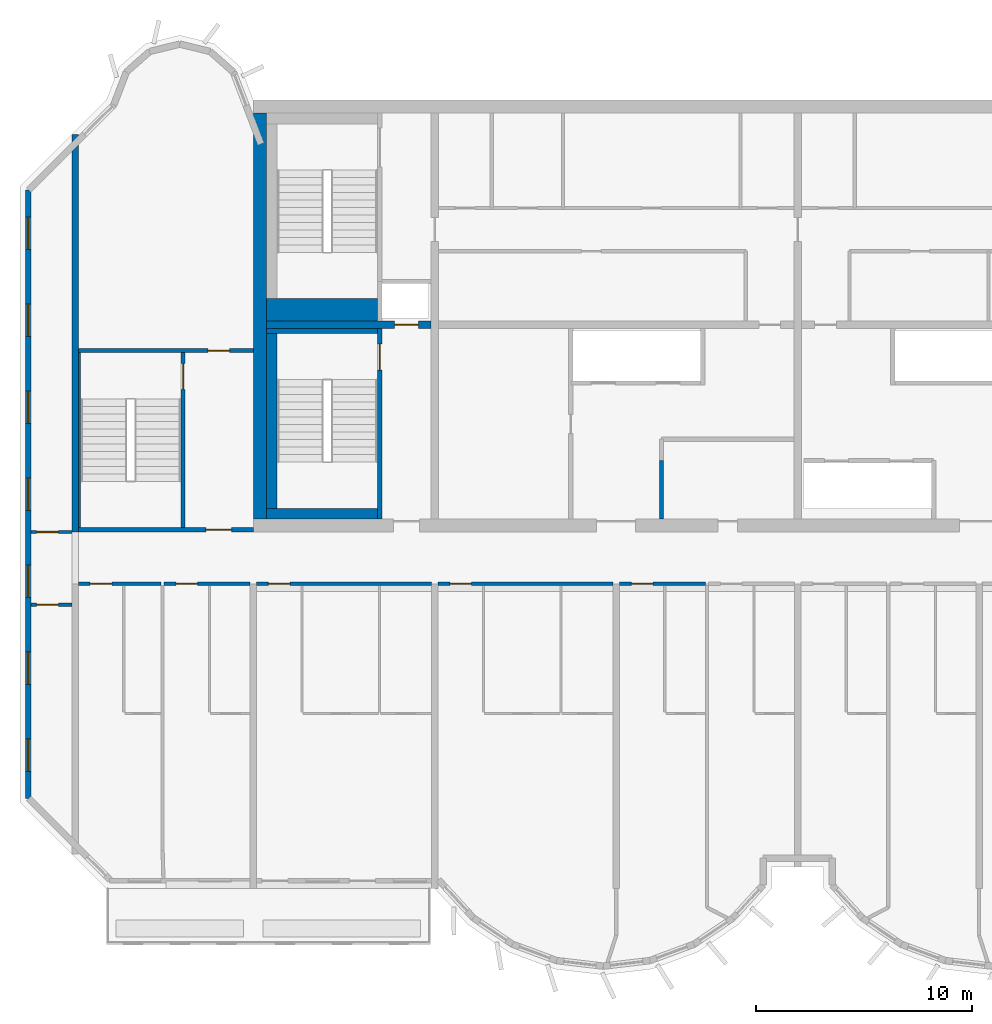
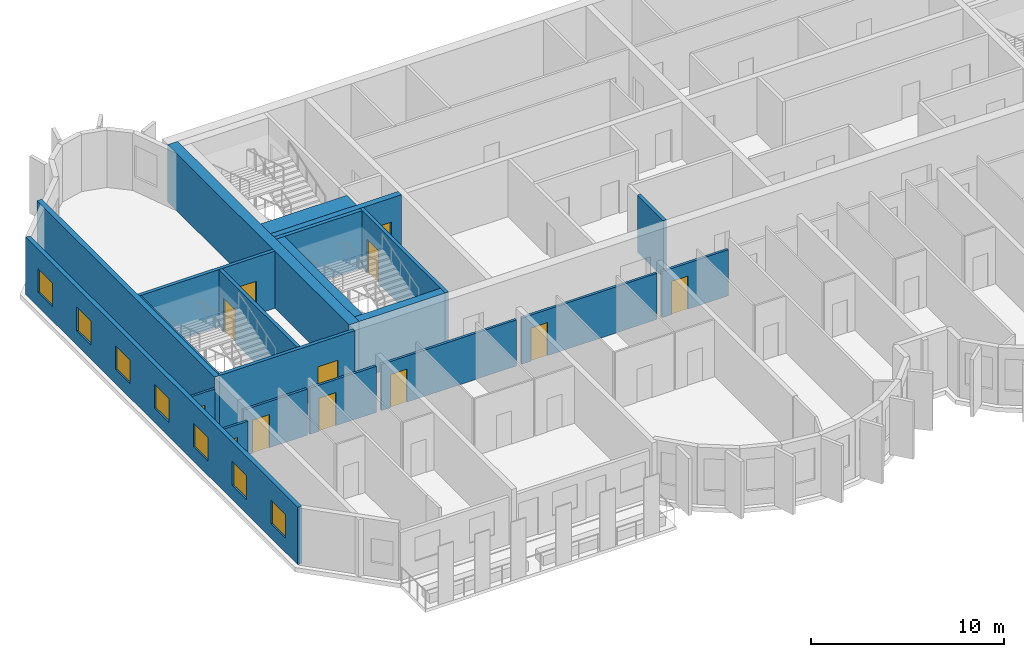
# One storey, part 3 of 11: 21 walls, 12 doors, 7 windows, 19 openings.
"""IFC4 building model written with IfcOpenShell, lengths in metres."""

from ifc_helpers import new_model, si_unit, direction, frame, frame_2d, origin, place, context, subcontext, project, spatial, rectangle, extrude, source, transform, mapped, material, layer, layer_set, type_object, element, fill, save


model = new_model("IFC4")

# Units and contexts
model_context = context("Model", 3, precision=1e-05, world=origin(), true_north=direction((0.0, 1.0)))
body_context = subcontext(model_context, "Body", "Model", "MODEL_VIEW")
ifc_project = project(units=[si_unit("LENGTHUNIT", "METRE"), si_unit("AREAUNIT", "SQUARE_METRE"), si_unit("VOLUMEUNIT", "CUBIC_METRE"), si_unit("PLANEANGLEUNIT", "RADIAN"), si_unit("MASSUNIT", "GRAM", prefix="KILO")], contexts=[model_context])

# Site, building, storey
site_placement = place(None, origin())
site = spatial("IfcSite", under=ifc_project, at=site_placement, CompositionType="ELEMENT")
building_placement = place(site_placement, origin())
building = spatial("IfcBuilding", under=site, at=building_placement, Name="Vanashikhar Sky Hotel", CompositionType="ELEMENT")
storey_placement = place(building_placement, frame((0.0, 0.0, 256.89990234375)))
storey = spatial("IfcBuildingStorey", under=building, at=storey_placement, Name="L62", CompositionType="ELEMENT", Elevation=256.89990234375)

# Wall
ifc_material_1 = material(Name="Concrete M60", Category="concrete")
ifc_layer_1 = layer(ifc_material_1, 0.60009765625)
ifc_layer_set_1 = layer_set([ifc_layer_1], Name="RC core shell wall 600 Concrete M60")
wall_type_1 = type_object("IfcWallType", Name="RC core shell wall 600 Concrete M60", PredefinedType="SHEAR", material=ifc_layer_set_1)
shared_shape_1 = source(origin(), body_context, "Body", "SweptSolid", [
    extrude(rectangle(XDim=18.7998046875, YDim=0.60009765625, at=frame_2d((9.39990234375, 0.0))), origin(), (0.0, 0.0, 1.0), 3.6201171875),
])
wall_1_placement = place(storey_placement, frame((25.5, 22.60009765625, 0.0), z_axis=(0.0, 0.0, 1.0), x_axis=(0.0, 1.0, 0.0)))
element("IfcWall", 1, at=wall_1_placement, inside=storey, type_object=wall_type_1, Name="KW-L62-KW", PredefinedType="SHEAR", context=body_context, shape_type="MappedRepresentation", body=[
    mapped(shared_shape_1, transform((0.0, 0.0, 0.0), scale=1.0)),
])

# Wall, opening, door
ifc_layer_2 = layer(ifc_material_1, 0.35009765625)
ifc_layer_set_2 = layer_set([ifc_layer_2], Name="RC core inner wall 350 Concrete M60")
wall_type_2 = type_object("IfcWallType", Name="RC core inner wall 350 Concrete M60", PredefinedType="SHEAR", material=ifc_layer_set_2)
shared_shape_2 = source(origin(), body_context, "Body", "SweptSolid", [
    extrude(rectangle(XDim=7.625, YDim=0.35009765625, at=frame_2d((3.8125, 0.0))), origin(), (0.0, 0.0, 1.0), 3.6201171875),
])
wall_2_placement = place(storey_placement, frame((25.800048828125, 31.60009765625, 0.0), z_axis=(0.0, 0.0, 1.0), x_axis=(1.0, 0.0, 0.0)))
wall_2 = element("IfcWall", 2, at=wall_2_placement, inside=storey, type_object=wall_type_2, Name="KW-L62-KY1", PredefinedType="SHEAR", context=body_context, shape_type="MappedRepresentation", body=[
    mapped(shared_shape_2, transform((0.0, 0.0, 0.0), scale=1.0)),
])
shared_shape_3 = source(origin(), body_context, "Body", "SweptSolid", [
    extrude(rectangle(XDim=1.10009765625, YDim=2.10009765625, at=frame_2d((0.550048828125, 1.050048828125))), frame((0.0, 0.18505859375, 0.0), z_axis=(0.0, -1.0, 0.0), x_axis=(1.0, 0.0, 0.0)), (0.0, 0.0, 1.0), 0.3701171875),
])
opening_1_placement = place(wall_2_placement, frame((5.93798828125, 0.0, 0.0)))
opening_1 = element("IfcOpeningElement", 3, at=opening_1_placement, cuts=wall_2, Name="Opening LD", PredefinedType="OPENING", context=body_context, shape_type="MappedRepresentation", body=[
    mapped(shared_shape_3, transform((0.0, 0.0, 0.0), scale=1.0)),
])
ifc_material_2 = material(Name="Stainless steel", Category="steel")
door_type_1 = type_object("IfcDoorType", Name="Lift landing door 1100", OperationType="NOTDEFINED", PredefinedType="DOOR", material=ifc_material_2)
shared_shape_4 = source(origin(), body_context, "Body", "SweptSolid", [
    extrude(rectangle(XDim=1.10009765625, YDim=2.10009765625, at=frame_2d((0.550048828125, 1.050048828125))), frame((0.0, 0.02490234375, 0.0), z_axis=(0.0, -1.0, 0.0), x_axis=(1.0, 0.0, 0.0)), (0.0, 0.0, 1.0), 0.050048828125),
])
door_1_placement = place(opening_1_placement, origin())
door_1 = element("IfcDoor", 4, at=door_1_placement, inside=storey, type_object=door_type_1, Name="Lift landing door 1100", OperationType="SLIDING_TO_RIGHT", OverallHeight=2.10009765625, OverallWidth=1.10009765625, PredefinedType="DOOR", context=body_context, shape_type="MappedRepresentation", body=[
    mapped(shared_shape_4, transform((0.0, 0.0, 0.0), scale=1.0)),
])
fill(opening_1, door_1)

# Wall
ifc_layer_3 = layer(ifc_material_1, 0.300048828125)
ifc_layer_set_3 = layer_set([ifc_layer_3], Name="RC shear wall 300 Concrete M60")
wall_type_3 = type_object("IfcWallType", Name="RC shear wall 300 Concrete M60", PredefinedType="SHEAR", material=ifc_layer_set_3)
shared_shape_5 = source(origin(), body_context, "Body", "SweptSolid", [
    extrude(rectangle(XDim=18.39990234375, YDim=0.300048828125, at=frame_2d((9.199951171875, 0.0))), origin(), (0.0, 0.0, 1.0), 3.6201171875),
])
wall_3_placement = place(storey_placement, frame((16.949951171875, 22.0, 0.0), z_axis=(0.0, 0.0, 1.0), x_axis=(0.0, 1.0, 0.0)))
element("IfcWall", 5, at=wall_3_placement, inside=storey, type_object=wall_type_3, Name="CW-L62-XW03-2", PredefinedType="SHEAR", context=body_context, shape_type="MappedRepresentation", body=[
    mapped(shared_shape_5, transform((0.0, 0.0, 0.0), scale=1.0)),
])

# Wall, openings, windows
ifc_material_3 = material(Name="Concrete M50", Category="concrete")
ifc_layer_4 = layer(ifc_material_3, 0.25)
ifc_layer_set_4 = layer_set([ifc_layer_4], Name="Rear and end board-marked wall 250")
wall_type_4 = type_object("IfcWallType", Name="Rear and end board-marked wall 250", PredefinedType="SOLIDWALL", material=ifc_layer_set_4)
shared_shape_6 = source(origin(), body_context, "Body", "SweptSolid", [
    extrude(rectangle(XDim=28.189453125, YDim=0.25, at=frame_2d((14.0947265625, 0.0))), origin(), (0.0, 0.0, 1.0), 3.6201171875),
])
wall_4_placement = place(storey_placement, frame((14.77490234375, 37.8447265625, 0.0), z_axis=(0.0, 0.0, 1.0), x_axis=(0.0, -1.0, 0.0)))
wall_4 = element("IfcWall", 6, at=wall_4_placement, inside=storey, type_object=wall_type_4, Name="End board-marked wall", PredefinedType="SOLIDWALL", context=body_context, shape_type="MappedRepresentation", body=[
    mapped(shared_shape_6, transform((0.0, 0.0, 0.0), scale=1.0)),
])
shared_shape_7 = source(origin(), body_context, "Body", "SweptSolid", [
    extrude(rectangle(XDim=1.5, YDim=1.5, at=frame_2d((0.75, 0.75))), frame((0.0, 0.135009765625, 0.0), z_axis=(0.0, -1.0, 0.0), x_axis=(1.0, 0.0, 0.0)), (0.0, 0.0, 1.0), 0.27001953125),
])
opening_2_placement = place(wall_4_placement, frame((1.263427734375, 0.0, 0.89990234375)))
opening_2 = element("IfcOpeningElement", 7, at=opening_2_placement, cuts=wall_4, Name="Opening WN-1", PredefinedType="OPENING", context=body_context, shape_type="MappedRepresentation", body=[
    mapped(shared_shape_7, transform((0.0, 0.0, 0.0), scale=1.0)),
])
opening_3_placement = place(wall_4_placement, frame((5.29052734375, 0.0, 0.89990234375)))
opening_3 = element("IfcOpeningElement", 8, at=opening_3_placement, cuts=wall_4, Name="Opening WN-1", PredefinedType="OPENING", context=body_context, shape_type="MappedRepresentation", body=[
    mapped(shared_shape_7, transform((0.0, 0.0, 0.0), scale=1.0)),
])
opening_4_placement = place(wall_4_placement, frame((9.317626953125, 0.0, 0.89990234375)))
opening_4 = element("IfcOpeningElement", 9, at=opening_4_placement, cuts=wall_4, Name="Opening WN-1", PredefinedType="OPENING", context=body_context, shape_type="MappedRepresentation", body=[
    mapped(shared_shape_7, transform((0.0, 0.0, 0.0), scale=1.0)),
])
opening_5_placement = place(wall_4_placement, frame((13.3447265625, 0.0, 0.89990234375)))
opening_5 = element("IfcOpeningElement", 10, at=opening_5_placement, cuts=wall_4, Name="Opening WN-1", PredefinedType="OPENING", context=body_context, shape_type="MappedRepresentation", body=[
    mapped(shared_shape_7, transform((0.0, 0.0, 0.0), scale=1.0)),
])
opening_6_placement = place(wall_4_placement, frame((17.371826171875, 0.0, 0.89990234375)))
opening_6 = element("IfcOpeningElement", 11, at=opening_6_placement, cuts=wall_4, Name="Opening WN-1", PredefinedType="OPENING", context=body_context, shape_type="MappedRepresentation", body=[
    mapped(shared_shape_7, transform((0.0, 0.0, 0.0), scale=1.0)),
])
opening_7_placement = place(wall_4_placement, frame((21.398681640625, 0.0, 0.89990234375)))
opening_7 = element("IfcOpeningElement", 12, at=opening_7_placement, cuts=wall_4, Name="Opening WN-1", PredefinedType="OPENING", context=body_context, shape_type="MappedRepresentation", body=[
    mapped(shared_shape_7, transform((0.0, 0.0, 0.0), scale=1.0)),
])
opening_8_placement = place(wall_4_placement, frame((25.42578125, 0.0, 0.89990234375)))
opening_8 = element("IfcOpeningElement", 13, at=opening_8_placement, cuts=wall_4, Name="Opening WN-1", PredefinedType="OPENING", context=body_context, shape_type="MappedRepresentation", body=[
    mapped(shared_shape_7, transform((0.0, 0.0, 0.0), scale=1.0)),
])
ifc_material_4 = material(Name="Glass", Category="glass")
window_type = type_object("IfcWindowType", Name="Window 1500 x 1500", PartitioningType="SINGLE_PANEL", PredefinedType="WINDOW", material=ifc_material_4)
shared_shape_8 = source(origin(), body_context, "Body", "SweptSolid", [
    extrude(rectangle(XDim=1.5, YDim=1.5, at=frame_2d((0.75, 0.75))), frame((0.0, 0.030029296875, 0.0), z_axis=(0.0, -1.0, 0.0), x_axis=(1.0, 0.0, 0.0)), (0.0, 0.0, 1.0), 0.06005859375),
])
window_1_placement = place(opening_2_placement, origin())
window_1 = element("IfcWindow", 14, at=window_1_placement, inside=storey, type_object=window_type, Name="Window WN-1", OverallHeight=1.5, OverallWidth=1.5, PartitioningType="SINGLE_PANEL", PredefinedType="WINDOW", context=body_context, shape_type="MappedRepresentation", body=[
    mapped(shared_shape_8, transform((0.0, 0.0, 0.0), scale=1.0)),
])
fill(opening_2, window_1)
window_2_placement = place(opening_3_placement, origin())
window_2 = element("IfcWindow", 15, at=window_2_placement, inside=storey, type_object=window_type, Name="Window WN-1", OverallHeight=1.5, OverallWidth=1.5, PartitioningType="SINGLE_PANEL", PredefinedType="WINDOW", context=body_context, shape_type="MappedRepresentation", body=[
    mapped(shared_shape_8, transform((0.0, 0.0, 0.0), scale=1.0)),
])
fill(opening_3, window_2)
window_3_placement = place(opening_4_placement, origin())
window_3 = element("IfcWindow", 16, at=window_3_placement, inside=storey, type_object=window_type, Name="Window WN-1", OverallHeight=1.5, OverallWidth=1.5, PartitioningType="SINGLE_PANEL", PredefinedType="WINDOW", context=body_context, shape_type="MappedRepresentation", body=[
    mapped(shared_shape_8, transform((0.0, 0.0, 0.0), scale=1.0)),
])
fill(opening_4, window_3)
window_4_placement = place(opening_5_placement, origin())
window_4 = element("IfcWindow", 17, at=window_4_placement, inside=storey, type_object=window_type, Name="Window WN-1", OverallHeight=1.5, OverallWidth=1.5, PartitioningType="SINGLE_PANEL", PredefinedType="WINDOW", context=body_context, shape_type="MappedRepresentation", body=[
    mapped(shared_shape_8, transform((0.0, 0.0, 0.0), scale=1.0)),
])
fill(opening_5, window_4)
window_5_placement = place(opening_6_placement, origin())
window_5 = element("IfcWindow", 18, at=window_5_placement, inside=storey, type_object=window_type, Name="Window WN-1", OverallHeight=1.5, OverallWidth=1.5, PartitioningType="SINGLE_PANEL", PredefinedType="WINDOW", context=body_context, shape_type="MappedRepresentation", body=[
    mapped(shared_shape_8, transform((0.0, 0.0, 0.0), scale=1.0)),
])
fill(opening_6, window_5)
window_6_placement = place(opening_7_placement, origin())
window_6 = element("IfcWindow", 19, at=window_6_placement, inside=storey, type_object=window_type, Name="Window WN-1", OverallHeight=1.5, OverallWidth=1.5, PartitioningType="SINGLE_PANEL", PredefinedType="WINDOW", context=body_context, shape_type="MappedRepresentation", body=[
    mapped(shared_shape_8, transform((0.0, 0.0, 0.0), scale=1.0)),
])
fill(opening_7, window_6)
window_7_placement = place(opening_8_placement, origin())
window_7 = element("IfcWindow", 20, at=window_7_placement, inside=storey, type_object=window_type, Name="Window WN-1", OverallHeight=1.5, OverallWidth=1.5, PartitioningType="SINGLE_PANEL", PredefinedType="WINDOW", context=body_context, shape_type="MappedRepresentation", body=[
    mapped(shared_shape_8, transform((0.0, 0.0, 0.0), scale=1.0)),
])
fill(opening_8, window_7)

# Wall
ifc_material_5 = material(Name="Gypsum board partition")
ifc_layer_5 = layer(ifc_material_5, 0.14990234375)
ifc_layer_set_5 = layer_set([ifc_layer_5], Name="Service partition 150")
wall_type_5 = type_object("IfcWallType", Name="Service partition 150", PredefinedType="PARTITIONING", material=ifc_layer_set_5)
shared_shape_9 = source(origin(), body_context, "Body", "SweptSolid", [
    extrude(rectangle(XDim=2.699951171875, YDim=0.199951171875, at=frame_2d((1.35009765625, 0.0))), origin(), (0.0, 0.0, 1.0), 3.6201171875),
])
wall_5_placement = place(storey_placement, frame((44.10009765625, 22.60009765625, 0.0), z_axis=(0.0, 0.0, 1.0), x_axis=(0.0, 1.0, 0.0)))
element("IfcWall", 21, at=wall_5_placement, inside=storey, type_object=wall_type_5, Name="Service partition 150", PredefinedType="PARTITIONING", context=body_context, shape_type="MappedRepresentation", body=[
    mapped(shared_shape_9, transform((0.0, 0.0, 0.0), scale=1.0)),
])

# Wall, opening, door
ifc_layer_6 = layer(ifc_material_3, 0.199951171875)
ifc_layer_set_6 = layer_set([ifc_layer_6], Name="Stair wall 200")
wall_type_6 = type_object("IfcWallType", Name="Stair wall 200", PredefinedType="SOLIDWALL", material=ifc_layer_set_6)
shared_shape_10 = source(origin(), body_context, "Body", "SweptSolid", [
    extrude(rectangle(XDim=8.824951171875, YDim=0.199951171875, at=frame_2d((4.41259765625, 0.0))), origin(), (0.0, 0.0, 1.0), 3.6201171875),
])
wall_6_placement = place(storey_placement, frame((31.050048828125, 22.60009765625, 0.0), z_axis=(0.0, 0.0, 1.0), x_axis=(0.0, 1.0, 0.0)))
wall_6 = element("IfcWall", 22, at=wall_6_placement, inside=storey, type_object=wall_type_6, Name="Stair wall 200", PredefinedType="SOLIDWALL", context=body_context, shape_type="MappedRepresentation", body=[
    mapped(shared_shape_10, transform((0.0, 0.0, 0.0), scale=1.0)),
])
shared_shape_11 = source(origin(), body_context, "Body", "SweptSolid", [
    extrude(rectangle(XDim=1.199951171875, YDim=2.10009765625, at=frame_2d((0.60009765625, 1.050048828125))), frame((0.0, 0.10986328125, 0.0), z_axis=(0.0, -1.0, 0.0), x_axis=(1.0, 0.0, 0.0)), (0.0, 0.0, 1.0), 0.219970703125),
])
opening_9_placement = place(wall_6_placement, frame((6.89990234375, 0.0, 0.0)))
opening_9 = element("IfcOpeningElement", 23, at=opening_9_placement, cuts=wall_6, Name="Opening DC-1", PredefinedType="OPENING", context=body_context, shape_type="MappedRepresentation", body=[
    mapped(shared_shape_11, transform((0.0, 0.0, 0.0), scale=1.0)),
])
ifc_material_6 = material(Name="Steel", Category="steel")
door_type_2 = type_object("IfcDoorType", Name="Stair door 1200 FD120", OperationType="NOTDEFINED", PredefinedType="DOOR", material=ifc_material_6)
shared_shape_12 = source(origin(), body_context, "Body", "SweptSolid", [
    extrude(rectangle(XDim=1.199951171875, YDim=2.10009765625, at=frame_2d((0.60009765625, 1.050048828125))), frame((0.0, 0.02490234375, 0.0), z_axis=(0.0, -1.0, 0.0), x_axis=(1.0, 0.0, 0.0)), (0.0, 0.0, 1.0), 0.050048828125),
])
door_2_placement = place(opening_9_placement, origin())
door_2 = element("IfcDoor", 24, at=door_2_placement, inside=storey, type_object=door_type_2, Name="Stair door 1200 FD120", OperationType="SINGLE_SWING_LEFT", OverallHeight=2.10009765625, OverallWidth=1.199951171875, PredefinedType="DOOR", context=body_context, shape_type="MappedRepresentation", body=[
    mapped(shared_shape_12, transform((0.0, 0.0, 0.0), scale=1.0)),
])
fill(opening_9, door_2)

shared_shape_13 = source(origin(), body_context, "Body", "SweptSolid", [
    extrude(rectangle(XDim=8.2998046875, YDim=0.199951171875, at=frame_2d((4.14990234375, 0.0))), origin(), (0.0, 0.0, 1.0), 3.6201171875),
])
wall_7_placement = place(storey_placement, frame((21.949951171875, 22.10009765625, 0.0), z_axis=(0.0, 0.0, 1.0), x_axis=(0.0, 1.0, 0.0)))
wall_7 = element("IfcWall", 25, at=wall_7_placement, inside=storey, type_object=wall_type_6, Name="Stair wall 200", PredefinedType="SOLIDWALL", context=body_context, shape_type="MappedRepresentation", body=[
    mapped(shared_shape_13, transform((0.0, 0.0, 0.0), scale=1.0)),
])
opening_10_placement = place(wall_7_placement, frame((6.5, 0.0, 0.0)))
opening_10 = element("IfcOpeningElement", 26, at=opening_10_placement, cuts=wall_7, Name="Opening DC-1", PredefinedType="OPENING", context=body_context, shape_type="MappedRepresentation", body=[
    mapped(shared_shape_11, transform((0.0, 0.0, 0.0), scale=1.0)),
])
door_3_placement = place(opening_10_placement, origin())
door_3 = element("IfcDoor", 27, at=door_3_placement, inside=storey, type_object=door_type_2, Name="Stair door 1200 FD120", OperationType="SINGLE_SWING_LEFT", OverallHeight=2.10009765625, OverallWidth=1.199951171875, PredefinedType="DOOR", context=body_context, shape_type="MappedRepresentation", body=[
    mapped(shared_shape_12, transform((0.0, 0.0, 0.0), scale=1.0)),
])
fill(opening_10, door_3)

shared_shape_14 = source(origin(), body_context, "Body", "SweptSolid", [
    extrude(rectangle(XDim=8.099853515625, YDim=0.199951171875, at=frame_2d((4.0498046875, 0.0))), origin(), (0.0, 0.0, 1.0), 3.6201171875),
])
wall_8_placement = place(storey_placement, frame((17.10009765625, 22.10009765625, 0.0), z_axis=(0.0, 0.0, 1.0), x_axis=(1.0, 0.0, 0.0)))
wall_8 = element("IfcWall", 28, at=wall_8_placement, inside=storey, type_object=wall_type_6, Name="Stair wall 200", PredefinedType="SOLIDWALL", context=body_context, shape_type="MappedRepresentation", body=[
    mapped(shared_shape_14, transform((0.0, 0.0, 0.0), scale=1.0)),
])
opening_11_placement = place(wall_8_placement, frame((5.89990234375, 0.0, 0.0)))
opening_11 = element("IfcOpeningElement", 29, at=opening_11_placement, cuts=wall_8, Name="Opening DC-2", PredefinedType="OPENING", context=body_context, shape_type="MappedRepresentation", body=[
    mapped(shared_shape_11, transform((0.0, 0.0, 0.0), scale=1.0)),
])
door_type_3 = type_object("IfcDoorType", Name="Firefighting lobby door 1200 FD120", OperationType="NOTDEFINED", PredefinedType="DOOR", material=ifc_material_6)
door_4_placement = place(opening_11_placement, origin())
door_4 = element("IfcDoor", 30, at=door_4_placement, inside=storey, type_object=door_type_3, Name="Firefighting lobby door 1200 FD120", OperationType="SINGLE_SWING_LEFT", OverallHeight=2.10009765625, OverallWidth=1.199951171875, PredefinedType="DOOR", context=body_context, shape_type="MappedRepresentation", body=[
    mapped(shared_shape_12, transform((0.0, 0.0, 0.0), scale=1.0)),
])
fill(opening_11, door_4)

wall_9_placement = place(storey_placement, frame((17.10009765625, 30.39990234375, 0.0), z_axis=(0.0, 0.0, 1.0), x_axis=(1.0, 0.0, 0.0)))
wall_9 = element("IfcWall", 31, at=wall_9_placement, inside=storey, type_object=wall_type_6, Name="Stair wall 200", PredefinedType="SOLIDWALL", context=body_context, shape_type="MappedRepresentation", body=[
    mapped(shared_shape_14, transform((0.0, 0.0, 0.0), scale=1.0)),
])
shared_shape_15 = source(origin(), body_context, "Body", "SweptSolid", [
    extrude(rectangle(XDim=1.0, YDim=2.10009765625, at=frame_2d((0.5, 1.050048828125))), frame((0.0, 0.10986328125, 0.0), z_axis=(0.0, -1.0, 0.0), x_axis=(1.0, 0.0, 0.0)), (0.0, 0.0, 1.0), 0.219970703125),
])
opening_12_placement = place(wall_9_placement, frame((6.0, 0.0, 0.0)))
opening_12 = element("IfcOpeningElement", 32, at=opening_12_placement, cuts=wall_9, Name="Opening DC-6", PredefinedType="OPENING", context=body_context, shape_type="MappedRepresentation", body=[
    mapped(shared_shape_15, transform((0.0, 0.0, 0.0), scale=1.0)),
])
door_type_4 = type_object("IfcDoorType", Name="Pocket door 1000 FD60", OperationType="NOTDEFINED", PredefinedType="DOOR", material=ifc_material_6)
shared_shape_16 = source(origin(), body_context, "Body", "SweptSolid", [
    extrude(rectangle(XDim=1.0, YDim=2.10009765625, at=frame_2d((0.5, 1.050048828125))), frame((0.0, 0.02490234375, 0.0), z_axis=(0.0, -1.0, 0.0), x_axis=(1.0, 0.0, 0.0)), (0.0, 0.0, 1.0), 0.050048828125),
])
door_5_placement = place(opening_12_placement, origin())
door_5 = element("IfcDoor", 33, at=door_5_placement, inside=storey, type_object=door_type_4, Name="Pocket door 1000 FD60", OperationType="SINGLE_SWING_LEFT", OverallHeight=2.10009765625, OverallWidth=1.0, PredefinedType="DOOR", context=body_context, shape_type="MappedRepresentation", body=[
    mapped(shared_shape_16, transform((0.0, 0.0, 0.0), scale=1.0)),
])
fill(opening_12, door_5)

# Walls
ifc_layer_7 = layer(ifc_material_3, 0.5)
ifc_layer_set_7 = layer_set([ifc_layer_7], Name="Stair infill wall 500")
wall_type_7 = type_object("IfcWallType", Name="Stair infill wall 500", PredefinedType="SOLIDWALL", material=ifc_layer_set_7)
shared_shape_17 = source(origin(), body_context, "Body", "SweptSolid", [
    extrude(rectangle(XDim=5.14990234375, YDim=0.5, at=frame_2d((2.574951171875, 0.0))), origin(), (0.0, 0.0, 1.0), 3.6201171875),
])
wall_10_placement = place(storey_placement, frame((25.800048828125, 22.85009765625, 0.0), z_axis=(0.0, 0.0, 1.0), x_axis=(1.0, 0.0, 0.0)))
element("IfcWall", 34, at=wall_10_placement, inside=storey, type_object=wall_type_7, Name="Stair infill wall 500", PredefinedType="SOLIDWALL", context=body_context, shape_type="MappedRepresentation", body=[
    mapped(shared_shape_17, transform((0.0, 0.0, 0.0), scale=1.0)),
])
ifc_layer_8 = layer(ifc_material_3, 0.22509765625)
ifc_layer_set_8 = layer_set([ifc_layer_8], Name="Stair infill wall 225")
wall_type_8 = type_object("IfcWallType", Name="Stair infill wall 225", PredefinedType="SOLIDWALL", material=ifc_layer_set_8)
shared_shape_18 = source(origin(), body_context, "Body", "SweptSolid", [
    extrude(rectangle(XDim=5.14990234375, YDim=0.22509765625, at=frame_2d((2.574951171875, 0.0))), origin(), (0.0, 0.0, 1.0), 3.6201171875),
])
wall_11_placement = place(storey_placement, frame((25.800048828125, 31.31201171875, 0.0), z_axis=(0.0, 0.0, 1.0), x_axis=(1.0, 0.0, 0.0)))
element("IfcWall", 35, at=wall_11_placement, inside=storey, type_object=wall_type_8, Name="Stair infill wall 225", PredefinedType="SOLIDWALL", context=body_context, shape_type="MappedRepresentation", body=[
    mapped(shared_shape_18, transform((0.0, 0.0, 0.0), scale=1.0)),
])
shared_shape_19 = source(origin(), body_context, "Body", "SweptSolid", [
    extrude(rectangle(XDim=8.099853515625, YDim=0.5, at=frame_2d((4.0498046875, 0.0))), origin(), (0.0, 0.0, 1.0), 3.6201171875),
])
wall_12_placement = place(storey_placement, frame((26.050048828125, 23.10009765625, 0.0), z_axis=(0.0, 0.0, 1.0), x_axis=(0.0, 1.0, 0.0)))
element("IfcWall", 36, at=wall_12_placement, inside=storey, type_object=wall_type_7, Name="Stair infill wall 500", PredefinedType="SOLIDWALL", context=body_context, shape_type="MappedRepresentation", body=[
    mapped(shared_shape_19, transform((0.0, 0.0, 0.0), scale=1.0)),
])
ifc_layer_9 = layer(ifc_material_3, 0.10009765625)
ifc_layer_set_9 = layer_set([ifc_layer_9], Name="Stair infill wall 100")
wall_type_9 = type_object("IfcWallType", Name="Stair infill wall 100", PredefinedType="SOLIDWALL", material=ifc_layer_set_9)
shared_shape_20 = source(origin(), body_context, "Body", "SweptSolid", [
    extrude(rectangle(XDim=8.10009765625, YDim=0.10009765625, at=frame_2d((4.050048828125, 0.0))), origin(), (0.0, 0.0, 1.0), 3.6201171875),
])
wall_13_placement = place(storey_placement, frame((17.14990234375, 22.199951171875, 0.0), z_axis=(0.0, 0.0, 1.0), x_axis=(0.0, 1.0, 0.0)))
element("IfcWall", 37, at=wall_13_placement, inside=storey, type_object=wall_type_9, Name="Stair infill wall 100", PredefinedType="SOLIDWALL", context=body_context, shape_type="MappedRepresentation", body=[
    mapped(shared_shape_20, transform((0.0, 0.0, 0.0), scale=1.0)),
])
ifc_layer_10 = layer(ifc_material_3, 1.02490234375)
ifc_layer_set_10 = layer_set([ifc_layer_10], Name="Stair infill wall 1025")
wall_type_10 = type_object("IfcWallType", Name="Stair infill wall 1025", PredefinedType="SOLIDWALL", material=ifc_layer_set_10)
shared_shape_21 = source(origin(), body_context, "Body", "SweptSolid", [
    extrude(rectangle(XDim=5.14990234375, YDim=1.02490234375, at=frame_2d((2.574951171875, 0.0))), origin(), (0.0, 0.0, 1.0), 3.6201171875),
])
wall_14_placement = place(storey_placement, frame((25.800048828125, 32.287109375, 0.0), z_axis=(0.0, 0.0, 1.0), x_axis=(1.0, 0.0, 0.0)))
element("IfcWall", 38, at=wall_14_placement, inside=storey, type_object=wall_type_10, Name="Stair infill wall 1025", PredefinedType="SOLIDWALL", context=body_context, shape_type="MappedRepresentation", body=[
    mapped(shared_shape_21, transform((0.0, 0.0, 0.0), scale=1.0)),
])

# Wall, opening, door
ifc_material_7 = material(Name="Gypsum plasterboard partition")
ifc_layer_11 = layer(ifc_material_7, 0.14990234375)
ifc_layer_set_11 = layer_set([ifc_layer_11], Name="Corridor and demising partition 150")
wall_type_11 = type_object("IfcWallType", Name="Corridor and demising partition 150", PredefinedType="PARTITIONING", material=ifc_layer_set_11)
shared_shape_22 = source(origin(), body_context, "Body", "SweptSolid", [
    extrude(rectangle(XDim=3.824951171875, YDim=0.14990234375, at=frame_2d((1.91259765625, 0.0))), origin(), (0.0, 0.0, 1.0), 2.920166015625),
])
wall_15_placement = place(storey_placement, frame((17.10009765625, 19.60009765625, 0.0), z_axis=(0.0, 0.0, 1.0), x_axis=(1.0, 0.0, 0.0)))
wall_15 = element("IfcWall", 39, at=wall_15_placement, inside=storey, type_object=wall_type_11, Name="W-L62-PW003", PredefinedType="PARTITIONING", context=body_context, shape_type="MappedRepresentation", body=[
    mapped(shared_shape_22, transform((0.0, 0.0, 0.0), scale=1.0)),
])
shared_shape_23 = source(origin(), body_context, "Body", "SweptSolid", [
    extrude(rectangle(XDim=1.0, YDim=2.10009765625, at=frame_2d((0.5, 1.050048828125))), frame((0.0, 0.0849609375, 0.0), z_axis=(0.0, -1.0, 0.0), x_axis=(1.0, 0.0, 0.0)), (0.0, 0.0, 1.0), 0.169921875),
])
opening_13_placement = place(wall_15_placement, frame((0.550048828125, 0.0, 0.0)))
opening_13 = element("IfcOpeningElement", 40, at=opening_13_placement, cuts=wall_15, Name="Opening D-01", PredefinedType="OPENING", context=body_context, shape_type="MappedRepresentation", body=[
    mapped(shared_shape_23, transform((0.0, 0.0, 0.0), scale=1.0)),
])
ifc_material_8 = material(Name="Timber fire door", Category="wood")
door_type_5 = type_object("IfcDoorType", Name="Guest entry door 1000 FD30S", OperationType="NOTDEFINED", PredefinedType="DOOR", material=ifc_material_8)
door_6_placement = place(opening_13_placement, origin())
door_6 = element("IfcDoor", 41, at=door_6_placement, inside=storey, type_object=door_type_5, Name="D-L62-002", OperationType="SINGLE_SWING_LEFT", OverallHeight=2.10009765625, OverallWidth=1.0, PredefinedType="DOOR", context=body_context, shape_type="MappedRepresentation", body=[
    mapped(shared_shape_16, transform((0.0, 0.0, 0.0), scale=1.0)),
])
fill(opening_13, door_6)

shared_shape_24 = source(origin(), body_context, "Body", "SweptSolid", [
    extrude(rectangle(XDim=3.97509765625, YDim=0.14990234375, at=frame_2d((1.987548828125, 0.0))), origin(), (0.0, 0.0, 1.0), 2.920166015625),
])
wall_16_placement = place(storey_placement, frame((21.074951171875, 19.60009765625, 0.0), z_axis=(0.0, 0.0, 1.0), x_axis=(1.0, 0.0, 0.0)))
wall_16 = element("IfcWall", 42, at=wall_16_placement, inside=storey, type_object=wall_type_11, Name="W-L62-PW006", PredefinedType="PARTITIONING", context=body_context, shape_type="MappedRepresentation", body=[
    mapped(shared_shape_24, transform((0.0, 0.0, 0.0), scale=1.0)),
])
opening_14_placement = place(wall_16_placement, frame((0.550048828125, 0.0, 0.0)))
opening_14 = element("IfcOpeningElement", 43, at=opening_14_placement, cuts=wall_16, Name="Opening D-01", PredefinedType="OPENING", context=body_context, shape_type="MappedRepresentation", body=[
    mapped(shared_shape_23, transform((0.0, 0.0, 0.0), scale=1.0)),
])
door_7_placement = place(opening_14_placement, origin())
door_7 = element("IfcDoor", 44, at=door_7_placement, inside=storey, type_object=door_type_5, Name="D-L62-004", OperationType="SINGLE_SWING_LEFT", OverallHeight=2.10009765625, OverallWidth=1.0, PredefinedType="DOOR", context=body_context, shape_type="MappedRepresentation", body=[
    mapped(shared_shape_16, transform((0.0, 0.0, 0.0), scale=1.0)),
])
fill(opening_14, door_7)

wall_17_placement = place(storey_placement, frame((42.14990234375, 19.60009765625, 0.0), z_axis=(0.0, 0.0, 1.0), x_axis=(1.0, 0.0, 0.0)))
wall_17 = element("IfcWall", 45, at=wall_17_placement, inside=storey, type_object=wall_type_11, Name="W-L62-PW020", PredefinedType="PARTITIONING", context=body_context, shape_type="MappedRepresentation", body=[
    mapped(shared_shape_24, transform((0.0, 0.0, 0.0), scale=1.0)),
])
opening_15_placement = place(wall_17_placement, frame((0.550048828125, 0.0, 0.0)))
opening_15 = element("IfcOpeningElement", 46, at=opening_15_placement, cuts=wall_17, Name="Opening D-01", PredefinedType="OPENING", context=body_context, shape_type="MappedRepresentation", body=[
    mapped(shared_shape_23, transform((0.0, 0.0, 0.0), scale=1.0)),
])
door_8_placement = place(opening_15_placement, origin())
door_8 = element("IfcDoor", 47, at=door_8_placement, inside=storey, type_object=door_type_5, Name="D-L62-012", OperationType="SINGLE_SWING_LEFT", OverallHeight=2.10009765625, OverallWidth=1.0, PredefinedType="DOOR", context=body_context, shape_type="MappedRepresentation", body=[
    mapped(shared_shape_16, transform((0.0, 0.0, 0.0), scale=1.0)),
])
fill(opening_15, door_8)

shared_shape_25 = source(origin(), body_context, "Body", "SweptSolid", [
    extrude(rectangle(XDim=8.099853515625, YDim=0.14990234375, at=frame_2d((4.0498046875, 0.0))), origin(), (0.0, 0.0, 1.0), 2.920166015625),
])
wall_18_placement = place(storey_placement, frame((25.35009765625, 19.60009765625, 0.0), z_axis=(0.0, 0.0, 1.0), x_axis=(1.0, 0.0, 0.0)))
wall_18 = element("IfcWall", 48, at=wall_18_placement, inside=storey, type_object=wall_type_11, Name="W-L62-PW012", PredefinedType="PARTITIONING", context=body_context, shape_type="MappedRepresentation", body=[
    mapped(shared_shape_25, transform((0.0, 0.0, 0.0), scale=1.0)),
])
opening_16_placement = place(wall_18_placement, frame((0.550048828125, 0.0, 0.0)))
opening_16 = element("IfcOpeningElement", 49, at=opening_16_placement, cuts=wall_18, Name="Opening D-01", PredefinedType="OPENING", context=body_context, shape_type="MappedRepresentation", body=[
    mapped(shared_shape_23, transform((0.0, 0.0, 0.0), scale=1.0)),
])
door_9_placement = place(opening_16_placement, origin())
door_9 = element("IfcDoor", 50, at=door_9_placement, inside=storey, type_object=door_type_5, Name="D-L62-007", OperationType="SINGLE_SWING_LEFT", OverallHeight=2.10009765625, OverallWidth=1.0, PredefinedType="DOOR", context=body_context, shape_type="MappedRepresentation", body=[
    mapped(shared_shape_16, transform((0.0, 0.0, 0.0), scale=1.0)),
])
fill(opening_16, door_9)

shared_shape_26 = source(origin(), body_context, "Body", "SweptSolid", [
    extrude(rectangle(XDim=8.10009765625, YDim=0.14990234375, at=frame_2d((4.050048828125, 0.0))), origin(), (0.0, 0.0, 1.0), 2.920166015625),
])
wall_19_placement = place(storey_placement, frame((33.75, 19.60009765625, 0.0), z_axis=(0.0, 0.0, 1.0), x_axis=(1.0, 0.0, 0.0)))
wall_19 = element("IfcWall", 51, at=wall_19_placement, inside=storey, type_object=wall_type_11, Name="W-L62-PW017", PredefinedType="PARTITIONING", context=body_context, shape_type="MappedRepresentation", body=[
    mapped(shared_shape_26, transform((0.0, 0.0, 0.0), scale=1.0)),
])
opening_17_placement = place(wall_19_placement, frame((0.550048828125, 0.0, 0.0)))
opening_17 = element("IfcOpeningElement", 52, at=opening_17_placement, cuts=wall_19, Name="Opening D-01", PredefinedType="OPENING", context=body_context, shape_type="MappedRepresentation", body=[
    mapped(shared_shape_23, transform((0.0, 0.0, 0.0), scale=1.0)),
])
door_10_placement = place(opening_17_placement, origin())
door_10 = element("IfcDoor", 53, at=door_10_placement, inside=storey, type_object=door_type_5, Name="D-L62-010", OperationType="SINGLE_SWING_LEFT", OverallHeight=2.10009765625, OverallWidth=1.0, PredefinedType="DOOR", context=body_context, shape_type="MappedRepresentation", body=[
    mapped(shared_shape_16, transform((0.0, 0.0, 0.0), scale=1.0)),
])
fill(opening_17, door_10)

shared_shape_27 = source(origin(), body_context, "Body", "SweptSolid", [
    extrude(rectangle(XDim=1.900146484375, YDim=0.14990234375, at=frame_2d((0.9501953125, 0.0))), origin(), (0.0, 0.0, 1.0), 2.920166015625),
])
wall_20_placement = place(storey_placement, frame((14.89990234375, 22.0, 0.0), z_axis=(0.0, 0.0, 1.0), x_axis=(1.0, 0.0, 0.0)))
wall_20 = element("IfcWall", 54, at=wall_20_placement, inside=storey, type_object=wall_type_11, Name="W-L62-PW049", PredefinedType="PARTITIONING", context=body_context, shape_type="MappedRepresentation", body=[
    mapped(shared_shape_27, transform((0.0, 0.0, 0.0), scale=1.0)),
])
opening_18_placement = place(wall_20_placement, frame((0.27490234375, 0.0, 0.0)))
opening_18 = element("IfcOpeningElement", 55, at=opening_18_placement, cuts=wall_20, Name="Opening D-01", PredefinedType="OPENING", context=body_context, shape_type="MappedRepresentation", body=[
    mapped(shared_shape_23, transform((0.0, 0.0, 0.0), scale=1.0)),
])
door_11_placement = place(opening_18_placement, origin())
door_11 = element("IfcDoor", 56, at=door_11_placement, inside=storey, type_object=door_type_5, Name="D-L62-028", OperationType="SINGLE_SWING_LEFT", OverallHeight=2.10009765625, OverallWidth=1.0, PredefinedType="DOOR", context=body_context, shape_type="MappedRepresentation", body=[
    mapped(shared_shape_16, transform((0.0, 0.0, 0.0), scale=1.0)),
])
fill(opening_18, door_11)

wall_21_placement = place(storey_placement, frame((14.89990234375, 18.6279296875, 0.0), z_axis=(0.0, 0.0, 1.0), x_axis=(1.0, 0.0, 0.0)))
wall_21 = element("IfcWall", 57, at=wall_21_placement, inside=storey, type_object=wall_type_11, Name="W-L62-PW051", PredefinedType="PARTITIONING", context=body_context, shape_type="MappedRepresentation", body=[
    mapped(shared_shape_27, transform((0.0, 0.0, 0.0), scale=1.0)),
])
opening_19_placement = place(wall_21_placement, frame((0.27490234375, 0.0, 0.0)))
opening_19 = element("IfcOpeningElement", 58, at=opening_19_placement, cuts=wall_21, Name="Opening D-01", PredefinedType="OPENING", context=body_context, shape_type="MappedRepresentation", body=[
    mapped(shared_shape_23, transform((0.0, 0.0, 0.0), scale=1.0)),
])
door_12_placement = place(opening_19_placement, origin())
door_12 = element("IfcDoor", 59, at=door_12_placement, inside=storey, type_object=door_type_5, Name="D-L62-030", OperationType="SINGLE_SWING_LEFT", OverallHeight=2.10009765625, OverallWidth=1.0, PredefinedType="DOOR", context=body_context, shape_type="MappedRepresentation", body=[
    mapped(shared_shape_16, transform((0.0, 0.0, 0.0), scale=1.0)),
])
fill(opening_19, door_12)

save(model, "model.ifc")
